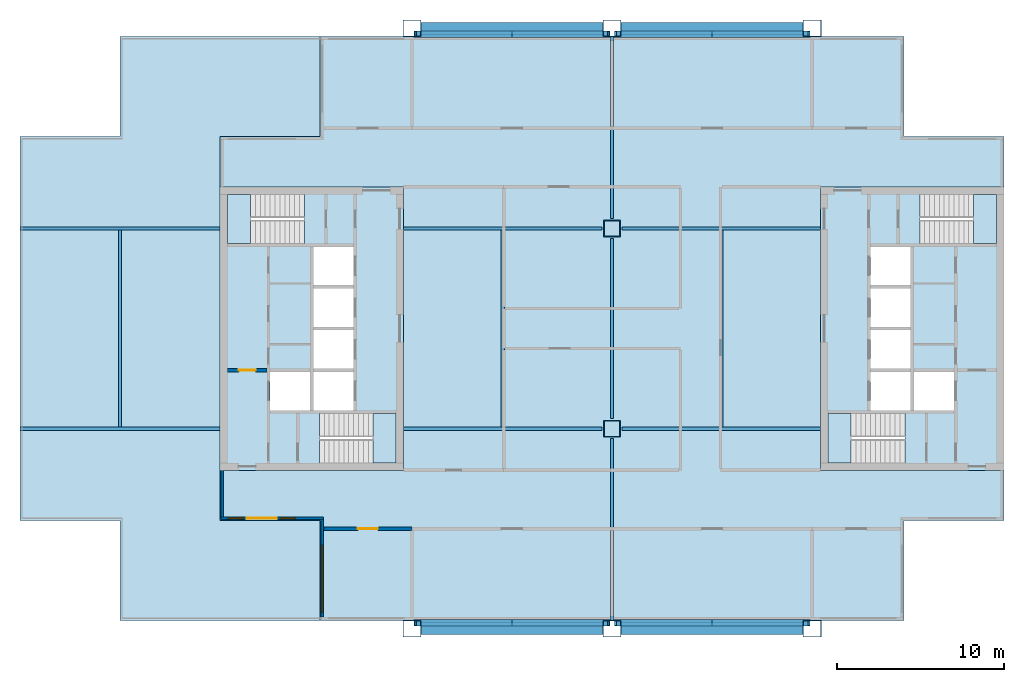
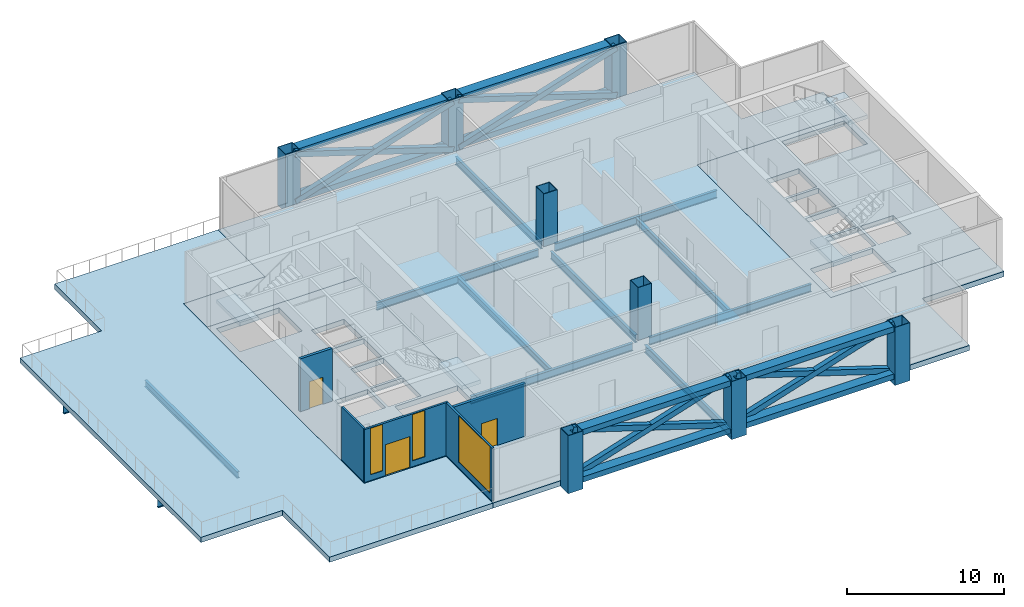
# One storey, part 1 of 6: 20 beams, 8 columns, 8 members, 8 slabs, 5 walls, 3 doors, 3 windows, 6 openings, 4 elements without a shape of their own.
"""IFC4 building model written with IfcOpenShell, lengths in metres."""

from ifc_helpers import new_model, si_unit, direction, frame, frame_2d, origin, origin_2d, place, context, subcontext, project, spatial, polyline, rectangle, hollow_rectangle, i_section, outline, extrude, material, layer, layer_set, material_profile, profile_set, type_object, element, fill, aggregate, save


model = new_model("IFC4")

# Units and contexts
model_context = context("Model", 3, precision=1e-05, world=origin(), true_north=direction((0.0, 1.0)))
body_context = subcontext(model_context, "Body", "Model", "MODEL_VIEW")
ifc_project = project(units=[si_unit("LENGTHUNIT", "METRE"), si_unit("AREAUNIT", "SQUARE_METRE"), si_unit("VOLUMEUNIT", "CUBIC_METRE"), si_unit("PLANEANGLEUNIT", "RADIAN"), si_unit("MASSUNIT", "GRAM", prefix="KILO")], contexts=[model_context])

# Site, building, storey
site_placement = place(None, origin())
site = spatial("IfcSite", under=ifc_project, at=site_placement, CompositionType="ELEMENT")
building_placement = place(site_placement, origin())
building = spatial("IfcBuilding", under=site, at=building_placement, Name="Kitamizu Gate Tower and Museum", CompositionType="ELEMENT")
storey_placement = place(building_placement, frame((0.0, 0.0, 213.449951171875)))
storey = spatial("IfcBuildingStorey", under=building, at=storey_placement, Name="L57", CompositionType="ELEMENT", Elevation=213.449951171875)

# Columns
ifc_material_1 = material(Name="Steel SM490A bronze coated", Category="steel")
ifc_material_profile_1 = material_profile(ifc_material_1, hollow_rectangle(XDim=1.10009765625, YDim=1.0, WallThickness=0.0400390625, at=origin_2d()), Name="BOX 1100x1000x40")
ifc_profile_set_1 = profile_set([ifc_material_profile_1], Name="Steel SM490A bronze coated")
column_type_1 = type_object("IfcColumnType", Name="Exoskeleton column XC8 BOX 1100x1000x40", PredefinedType="COLUMN", material=ifc_profile_set_1)
for number, where, z_axis, x_axis, name in (
    (1, (24.0, 12.0, -0.39990234375), (0.0, 0.0, 1.0), (1.0, 0.0, 0.0), "Column XC8 3B L57"),
    (2, (24.0, 48.0, -0.39990234375), (0.0, 0.0, 1.0), (1.0, 0.0, 0.0), "Column XC8 3E L57"),
    (3, (36.0, 12.0, -0.39990234375), (0.0, 0.0, 1.0), (1.0, 0.0, 0.0), "Column XC8 4B L57"),
    (4, (36.0, 48.0, -0.39990234375), (0.0, 0.0, 1.0), (1.0, 0.0, 0.0), "Column XC8 4E L57"),
    (5, (48.0, 12.0, -0.39990234375), (0.0, 0.0, 1.0), (1.0, 0.0, 0.0), "Column XC8 5B L57"),
    (6, (48.0, 48.0, -0.39990234375), (0.0, 0.0, 1.0), (1.0, 0.0, 0.0), "Column XC8 5E L57"),
):
    element("IfcColumn", number, at=place(storey_placement, frame(where, z_axis=z_axis, x_axis=x_axis)), inside=storey, type_object=column_type_1, Name=name, PredefinedType="COLUMN", context=body_context, shape_type="SweptSolid", body=[
        extrude(hollow_rectangle(XDim=1.10009765625, YDim=1.0, WallThickness=0.0400390625, at=origin_2d()), origin(), (0.0, 0.0, 1.0), 4.5),
    ])
ifc_material_2 = material(Name="Steel SM490A", Category="steel")
ifc_material_profile_2 = material_profile(ifc_material_2, hollow_rectangle(XDim=1.0, YDim=1.0, WallThickness=0.0400390625, at=origin_2d()), Name="BOX 1000x1000x40")
ifc_profile_set_2 = profile_set([ifc_material_profile_2], Name="Steel SM490A")
column_type_2 = type_object("IfcColumnType", Name="Interior column IC5 BOX 1000x1000x40", PredefinedType="COLUMN", material=ifc_profile_set_2)
for number, where, z_axis, x_axis, name in (
    (7, (36.0, 24.0, 0.0), (0.0, 0.0, 1.0), (1.0, 0.0, 0.0), "Column IC5 4C L57"),
    (8, (36.0, 36.0, 0.0), (0.0, 0.0, 1.0), (1.0, 0.0, 0.0), "Column IC5 4D L57"),
):
    element("IfcColumn", number, at=place(storey_placement, frame(where, z_axis=z_axis, x_axis=x_axis)), inside=storey, type_object=column_type_2, Name=name, PredefinedType="COLUMN", context=body_context, shape_type="SweptSolid", body=[
        extrude(hollow_rectangle(XDim=1.0, YDim=1.0, WallThickness=0.0400390625, at=origin_2d()), origin(), (0.0, 0.0, 1.0), 4.10009765625),
    ])

# Beams
ifc_material_3 = material(Name="Steel SM490A bronze coated", Category="steel")
ifc_material_profile_3 = material_profile(ifc_material_3, hollow_rectangle(XDim=0.719970703125, YDim=0.419921875, WallThickness=0.031982421875, at=origin_2d()), Name="BOX 720x420x32")
ifc_profile_set_3 = profile_set([ifc_material_profile_3], Name="Steel SM490A bronze coated")
beam_type_1 = type_object("IfcBeamType", Name="Belt truss chord BTC3 BOX 720x420x32", PredefinedType="BEAM", material=ifc_profile_set_3)
for number, where, z_axis, x_axis, name in (
    (9, (24.550048828125, 12.0, 3.89013671875), (1.0, 0.0, 0.0), (0.0, 1.0, 0.0), "Belt truss top chord south 24 L57"),
    (10, (24.550048828125, 12.0, 0.2099609375), (1.0, 0.0, 0.0), (0.0, 1.0, 0.0), "Belt truss bottom chord south 24 L57"),
    (11, (36.550048828125, 12.0, 3.89013671875), (1.0, 0.0, 0.0), (0.0, 1.0, 0.0), "Belt truss top chord south 36 L57"),
    (12, (36.550048828125, 12.0, 0.2099609375), (1.0, 0.0, 0.0), (0.0, 1.0, 0.0), "Belt truss bottom chord south 36 L57"),
    (13, (24.550048828125, 48.0, 3.89013671875), (1.0, 0.0, 0.0), (0.0, 1.0, 0.0), "Belt truss top chord north 24 L57"),
    (14, (24.550048828125, 48.0, 0.2099609375), (1.0, 0.0, 0.0), (0.0, 1.0, 0.0), "Belt truss bottom chord north 24 L57"),
    (15, (36.550048828125, 48.0, 3.89013671875), (1.0, 0.0, 0.0), (0.0, 1.0, 0.0), "Belt truss top chord north 36 L57"),
    (16, (36.550048828125, 48.0, 0.2099609375), (1.0, 0.0, 0.0), (0.0, 1.0, 0.0), "Belt truss bottom chord north 36 L57"),
):
    element("IfcBeam", number, at=place(storey_placement, frame(where, z_axis=z_axis, x_axis=x_axis)), inside=storey, type_object=beam_type_1, Name=name, PredefinedType="BEAM", context=body_context, shape_type="SweptSolid", body=[
        extrude(hollow_rectangle(XDim=0.719970703125, YDim=0.419921875, WallThickness=0.031982421875, at=origin_2d()), origin(), (0.0, 0.0, 1.0), 10.89990234375),
    ])

# Members
ifc_material_4 = material(Name="Steel SM490A bronze coated", Category="steel")
ifc_material_profile_4 = material_profile(ifc_material_4, hollow_rectangle(XDim=0.3798828125, YDim=0.419921875, WallThickness=0.02197265625, at=origin_2d()), Name="BOX 380x420x22")
ifc_profile_set_4 = profile_set([ifc_material_profile_4], Name="Steel SM490A bronze coated")
member_type = type_object("IfcMemberType", Name="Belt truss diagonal BTD3 BOX 380x420x22", PredefinedType="BRACE", material=ifc_profile_set_4)
for number, where, z_axis, x_axis, name in (
    (17, (24.199951171875, 12.360107421875, 0.2099609375), (0.95318100356, 0.0, 0.302400354583), (0.0, 1.0, 0.0), "Belt truss diagonal south 24 L57"),
    (18, (35.800048828125, 12.360107421875, 0.2099609375), (-0.95318100356, 0.0, 0.302400354583), (0.0, -1.0, 0.0), "Belt truss diagonal south 24 L57"),
    (19, (36.199951171875, 12.360107421875, 0.2099609375), (0.95318100356, 0.0, 0.302400354583), (0.0, 1.0, 0.0), "Belt truss diagonal south 36 L57"),
    (20, (47.800048828125, 12.360107421875, 0.2099609375), (-0.95318100356, 0.0, 0.302400354583), (0.0, -1.0, 0.0), "Belt truss diagonal south 36 L57"),
    (21, (24.199951171875, 47.639892578125, 0.2099609375), (0.95318100356, 0.0, 0.302400354583), (0.0, 1.0, 0.0), "Belt truss diagonal north 24 L57"),
    (22, (35.800048828125, 47.639892578125, 0.2099609375), (-0.95318100356, 0.0, 0.302400354583), (0.0, -1.0, 0.0), "Belt truss diagonal north 24 L57"),
    (23, (36.199951171875, 47.639892578125, 0.2099609375), (0.95318100356, 0.0, 0.302400354583), (0.0, 1.0, 0.0), "Belt truss diagonal north 36 L57"),
    (24, (47.800048828125, 47.639892578125, 0.2099609375), (-0.95318100356, 0.0, 0.302400354583), (0.0, -1.0, 0.0), "Belt truss diagonal north 36 L57"),
):
    element("IfcMember", number, at=place(storey_placement, frame(where, z_axis=z_axis, x_axis=x_axis)), inside=storey, type_object=member_type, Name=name, PredefinedType="BRACE", context=body_context, shape_type="SweptSolid", body=[
        extrude(hollow_rectangle(XDim=0.3798828125, YDim=0.419921875, WallThickness=0.02197265625, at=origin_2d()), origin(), (0.0, 0.0, 1.0), 12.169921875),
    ])

# Beams
ifc_material_5 = material(Name="Steel SM490A", Category="steel")
ifc_material_profile_5 = material_profile(ifc_material_5, i_section(OverallWidth=0.199951171875, OverallDepth=0.5, WebThickness=0.010009765625, FlangeThickness=0.01611328125, FilletRadius=0.02001953125, at=origin_2d()), Name="H-500x200x10x16")
ifc_profile_set_5 = profile_set([ifc_material_profile_5], Name="Steel SM490A")
beam_type_2 = type_object("IfcBeamType", Name="Floor beam FB1 H 500x200x10x16", PredefinedType="BEAM", material=ifc_profile_set_5)
for number, where, z_axis, x_axis, name in (
    (25, (6.5, 24.10009765625, -0.64990234375), (0.0, 1.0, 0.0), (-1.0, 0.0, 0.0), "Floor beam FB1 L57-1"),
    (26, (29.449951171875, 24.10009765625, -0.64990234375), (0.0, 1.0, 0.0), (-1.0, 0.0, 0.0), "Floor beam FB1 L57-2"),
    (27, (42.550048828125, 24.10009765625, -0.64990234375), (0.0, 1.0, 0.0), (-1.0, 0.0, 0.0), "Floor beam FB1 L57-3"),
):
    element("IfcBeam", number, at=place(storey_placement, frame(where, z_axis=z_axis, x_axis=x_axis)), inside=storey, type_object=beam_type_2, Name=name, PredefinedType="BEAM", context=body_context, shape_type="SweptSolid", body=[
        extrude(i_section(OverallWidth=0.199951171875, OverallDepth=0.5, WebThickness=0.010009765625, FlangeThickness=0.01611328125, FilletRadius=0.02001953125, at=origin_2d()), origin(), (0.0, 0.0, 1.0), 11.7998046875),
    ])
ifc_material_6 = material(Name="Steel SM490A", Category="steel")
ifc_material_profile_6 = material_profile(ifc_material_6, i_section(OverallWidth=0.199951171875, OverallDepth=0.60009765625, WebThickness=0.010986328125, FlangeThickness=0.01708984375, FilletRadius=0.02197265625, at=origin_2d()), Name="H-600x200x11x17")
ifc_profile_set_6 = profile_set([ifc_material_profile_6], Name="Steel SM490A")
beam_type_3 = type_object("IfcBeamType", Name="Floor girder FG1 H 600x200x11x17", PredefinedType="BEAM", material=ifc_profile_set_6)
beam_1_placement = place(storey_placement, frame((36.0, 12.5, -0.699951171875), z_axis=(0.0, 1.0, 0.0), x_axis=(-1.0, 0.0, 0.0)))
element("IfcBeam", 28, at=beam_1_placement, inside=storey, type_object=beam_type_3, Name="Floor girder FG1 x36 L57", PredefinedType="BEAM", context=body_context, shape_type="SweptSolid", body=[
    extrude(i_section(OverallWidth=0.199951171875, OverallDepth=0.60009765625, WebThickness=0.010986328125, FlangeThickness=0.01708984375, FilletRadius=0.02197265625, at=origin_2d()), origin(), (0.0, 0.0, 1.0), 10.89990234375),
])
beam_2_placement = place(storey_placement, frame((36.0, 24.60009765625, -0.699951171875), z_axis=(0.0, 1.0, 0.0), x_axis=(-1.0, 0.0, 0.0)))
element("IfcBeam", 29, at=beam_2_placement, inside=storey, type_object=beam_type_3, Name="Floor girder FG1 x36 L57", PredefinedType="BEAM", context=body_context, shape_type="SweptSolid", body=[
    extrude(i_section(OverallWidth=0.199951171875, OverallDepth=0.60009765625, WebThickness=0.010986328125, FlangeThickness=0.01708984375, FilletRadius=0.02197265625, at=origin_2d()), origin(), (0.0, 0.0, 1.0), 10.7998046875),
])
beam_3_placement = place(storey_placement, frame((36.0, 36.60009765625, -0.699951171875), z_axis=(0.0, 1.0, 0.0), x_axis=(-1.0, 0.0, 0.0)))
element("IfcBeam", 30, at=beam_3_placement, inside=storey, type_object=beam_type_3, Name="Floor girder FG1 x36 L57", PredefinedType="BEAM", context=body_context, shape_type="SweptSolid", body=[
    extrude(i_section(OverallWidth=0.199951171875, OverallDepth=0.60009765625, WebThickness=0.010986328125, FlangeThickness=0.01708984375, FilletRadius=0.02197265625, at=origin_2d()), origin(), (0.0, 0.0, 1.0), 10.89990234375),
])
beam_4_placement = place(storey_placement, frame((0.5, 24.0, -0.699951171875), z_axis=(1.0, 0.0, 0.0), x_axis=(0.0, 1.0, 0.0)))
element("IfcBeam", 31, at=beam_4_placement, inside=storey, type_object=beam_type_3, Name="Floor girder FG1 y24 L57", PredefinedType="BEAM", context=body_context, shape_type="SweptSolid", body=[
    extrude(i_section(OverallWidth=0.199951171875, OverallDepth=0.60009765625, WebThickness=0.010986328125, FlangeThickness=0.01708984375, FilletRadius=0.02197265625, at=origin_2d()), origin(), (0.0, 0.0, 1.0), 12.0),
])
for number, where, z_axis, x_axis, name in (
    (32, (23.5, 24.0, -0.699951171875), (1.0, 0.0, 0.0), (0.0, 1.0, 0.0), "Floor girder FG1 y24 L57"),
    (33, (36.60009765625, 24.0, -0.699951171875), (1.0, 0.0, 0.0), (0.0, 1.0, 0.0), "Floor girder FG1 y24 L57"),
):
    element("IfcBeam", number, at=place(storey_placement, frame(where, z_axis=z_axis, x_axis=x_axis)), inside=storey, type_object=beam_type_3, Name=name, PredefinedType="BEAM", context=body_context, shape_type="SweptSolid", body=[
        extrude(i_section(OverallWidth=0.199951171875, OverallDepth=0.60009765625, WebThickness=0.010986328125, FlangeThickness=0.01708984375, FilletRadius=0.02197265625, at=origin_2d()), origin(), (0.0, 0.0, 1.0), 11.89990234375),
    ])
beam_5_placement = place(storey_placement, frame((0.5, 36.0, -0.699951171875), z_axis=(1.0, 0.0, 0.0), x_axis=(0.0, 1.0, 0.0)))
element("IfcBeam", 34, at=beam_5_placement, inside=storey, type_object=beam_type_3, Name="Floor girder FG1 y36 L57", PredefinedType="BEAM", context=body_context, shape_type="SweptSolid", body=[
    extrude(i_section(OverallWidth=0.199951171875, OverallDepth=0.60009765625, WebThickness=0.010986328125, FlangeThickness=0.01708984375, FilletRadius=0.02197265625, at=origin_2d()), origin(), (0.0, 0.0, 1.0), 12.0),
])
for number, where, z_axis, x_axis, name in (
    (35, (23.5, 36.0, -0.699951171875), (1.0, 0.0, 0.0), (0.0, 1.0, 0.0), "Floor girder FG1 y36 L57"),
    (36, (36.60009765625, 36.0, -0.699951171875), (1.0, 0.0, 0.0), (0.0, 1.0, 0.0), "Floor girder FG1 y36 L57"),
):
    element("IfcBeam", number, at=place(storey_placement, frame(where, z_axis=z_axis, x_axis=x_axis)), inside=storey, type_object=beam_type_3, Name=name, PredefinedType="BEAM", context=body_context, shape_type="SweptSolid", body=[
        extrude(i_section(OverallWidth=0.199951171875, OverallDepth=0.60009765625, WebThickness=0.010986328125, FlangeThickness=0.01708984375, FilletRadius=0.02197265625, at=origin_2d()), origin(), (0.0, 0.0, 1.0), 11.89990234375),
    ])

# Slabs
ifc_material_7 = material(Name="Concrete Fc36", Category="concrete")
ifc_layer_1 = layer(ifc_material_7, 0.39990234375)
ifc_layer_set_1 = layer_set([ifc_layer_1], Name="Concrete Fc36")
slab_type_1 = type_object("IfcSlabType", Name="Core floor slab 400", PredefinedType="FLOOR", material=ifc_layer_set_1)
slab_1_placement = place(storey_placement, frame((0.0, 0.0, -0.39990234375)))
element("IfcSlab", 37, at=slab_1_placement, inside=storey, type_object=slab_type_1, Name="Core floor slab W", PredefinedType="FLOOR", context=body_context, shape_type="SweptSolid", body=[
    extrude(outline(polyline([(12.5, 21.5), (23.5, 21.5), (23.5, 38.5), (12.5, 38.5), (12.5, 21.5)]), holes=[polyline([(15.5, 25.10009765625), (17.89990234375, 25.10009765625), (17.89990234375, 27.39990234375), (15.5, 27.39990234375), (15.5, 25.10009765625)]), polyline([(18.10009765625, 25.10009765625), (20.5, 25.10009765625), (20.5, 27.39990234375), (18.10009765625, 27.39990234375), (18.10009765625, 25.10009765625)]), polyline([(18.10009765625, 27.60009765625), (20.5, 27.60009765625), (20.5, 29.89990234375), (18.10009765625, 29.89990234375), (18.10009765625, 27.60009765625)]), polyline([(18.10009765625, 30.10009765625), (20.5, 30.10009765625), (20.5, 32.39990234375), (18.10009765625, 32.39990234375), (18.10009765625, 30.10009765625)]), polyline([(18.10009765625, 32.60009765625), (20.5, 32.60009765625), (20.5, 34.89990234375), (18.10009765625, 34.89990234375), (18.10009765625, 32.60009765625)]), polyline([(18.45068359375, 21.949951171875), (23.050048828125, 21.949951171875), (23.050048828125, 24.89990234375), (18.45068359375, 24.89990234375), (18.45068359375, 21.949951171875)]), polyline([(12.949951171875, 35.10009765625), (17.54931640625, 35.10009765625), (17.54931640625, 38.050048828125), (12.949951171875, 38.050048828125), (12.949951171875, 35.10009765625)])]), origin(), (0.0, 0.0, 1.0), 0.39990234375),
])
slab_2_placement = place(storey_placement, frame((0.0, 0.0, -0.39990234375)))
element("IfcSlab", 38, at=slab_2_placement, inside=storey, type_object=slab_type_1, Name="Core floor slab E", PredefinedType="FLOOR", context=body_context, shape_type="SweptSolid", body=[
    extrude(outline(polyline([(48.5, 21.5), (59.5, 21.5), (59.5, 38.5), (48.5, 38.5), (48.5, 21.5)]), holes=[polyline([(54.10009765625, 25.10009765625), (56.5, 25.10009765625), (56.5, 27.39990234375), (54.10009765625, 27.39990234375), (54.10009765625, 25.10009765625)]), polyline([(51.5, 25.10009765625), (53.89990234375, 25.10009765625), (53.89990234375, 27.39990234375), (51.5, 27.39990234375), (51.5, 25.10009765625)]), polyline([(51.5, 27.60009765625), (53.89990234375, 27.60009765625), (53.89990234375, 29.89990234375), (51.5, 29.89990234375), (51.5, 27.60009765625)]), polyline([(51.5, 30.10009765625), (53.89990234375, 30.10009765625), (53.89990234375, 32.39990234375), (51.5, 32.39990234375), (51.5, 30.10009765625)]), polyline([(51.5, 32.60009765625), (53.89990234375, 32.60009765625), (53.89990234375, 34.89990234375), (51.5, 34.89990234375), (51.5, 32.60009765625)]), polyline([(48.949951171875, 21.949951171875), (53.54931640625, 21.949951171875), (53.54931640625, 24.89990234375), (48.949951171875, 24.89990234375), (48.949951171875, 21.949951171875)]), polyline([(54.45068359375, 35.10009765625), (59.050048828125, 35.10009765625), (59.050048828125, 38.050048828125), (54.45068359375, 38.050048828125), (54.45068359375, 35.10009765625)])]), origin(), (0.0, 0.0, 1.0), 0.39990234375),
])
ifc_material_8 = material(Name="Concrete Fc36", Category="concrete")
ifc_layer_2 = layer(ifc_material_8, 0.39990234375)
ifc_layer_set_2 = layer_set([ifc_layer_2], Name="Concrete Fc36")
slab_type_2 = type_object("IfcSlabType", Name="Post tensioned flat slab 400", PredefinedType="FLOOR", material=ifc_layer_set_2)
slab_3_placement = place(storey_placement, frame((0.0, 0.0, -0.39990234375)))
element("IfcSlab", 39, at=slab_3_placement, inside=storey, type_object=slab_type_2, Name="Floor slab L57-1", PredefinedType="FLOOR", context=body_context, shape_type="SweptSolid", body=[
    extrude(outline(polyline([(53.5, 47.5), (53.5, 41.5), (59.5, 41.5), (59.5, 38.5), (48.5, 38.5), (48.5, 21.5), (59.5, 21.5), (59.5, 18.5), (53.5, 18.5), (53.5, 12.5), (18.5, 12.5), (18.5, 18.5), (12.5, 18.5), (12.5, 21.5), (23.5, 21.5), (23.5, 38.5), (12.5, 38.5), (12.5, 41.5), (18.5, 41.5), (18.5, 47.5), (53.5, 47.5)])), origin(), (0.0, 0.0, 1.0), 0.39990234375),
])

# Stair, slab
ifc_material_9 = material(Name="Concrete Fc42", Category="concrete")
stair_type = type_object("IfcStairType", Name="Exit stair 1375 wide 188 rise 293 going", PredefinedType="HALF_TURN_STAIR", material=ifc_material_9)
stair_1_placement = place(storey_placement, origin())
stair_1 = element("IfcStair", 40, at=stair_1_placement, inside=storey, type_object=stair_type, Name="Exit stair ST1", PredefinedType="HALF_TURN_STAIR")
ifc_material_10 = material(Name="Concrete Fc42", Category="concrete")
ifc_layer_3 = layer(ifc_material_10, 0.300048828125)
ifc_layer_set_3 = layer_set([ifc_layer_3], Name="Concrete Fc42")
slab_type_3 = type_object("IfcSlabType", Name="Stair landing 300", PredefinedType="LANDING", material=ifc_layer_set_3)
slab_4_placement = place(storey_placement, frame((0.0, 0.0, 1.949951171875)))
slab_4 = element("IfcSlab", 41, at=slab_4_placement, type_object=slab_type_3, Name="ST1 landing 1", PredefinedType="LANDING", context=body_context, shape_type="SweptSolid", body=[
    extrude(outline(polyline([(21.675048828125, 21.949951171875), (23.050048828125, 21.949951171875), (23.050048828125, 24.89990234375), (21.675048828125, 24.89990234375), (21.675048828125, 21.949951171875)])), origin(), (0.0, 0.0, 1.0), 0.300048828125),
])
aggregate(stair_1, [slab_4])

stair_2_placement = place(storey_placement, origin())
stair_2 = element("IfcStair", 42, at=stair_2_placement, inside=storey, type_object=stair_type, Name="Exit stair ST2", PredefinedType="HALF_TURN_STAIR")
slab_5_placement = place(storey_placement, frame((0.0, 0.0, 1.949951171875)))
slab_5 = element("IfcSlab", 43, at=slab_5_placement, type_object=slab_type_3, Name="ST2 landing 1", PredefinedType="LANDING", context=body_context, shape_type="SweptSolid", body=[
    extrude(outline(polyline([(12.949951171875, 35.10009765625), (14.324951171875, 35.10009765625), (14.324951171875, 38.050048828125), (12.949951171875, 38.050048828125), (12.949951171875, 35.10009765625)])), origin(), (0.0, 0.0, 1.0), 0.300048828125),
])
aggregate(stair_2, [slab_5])

stair_3_placement = place(storey_placement, origin())
stair_3 = element("IfcStair", 44, at=stair_3_placement, inside=storey, type_object=stair_type, Name="Exit stair ST3", PredefinedType="HALF_TURN_STAIR")
slab_6_placement = place(storey_placement, frame((0.0, 0.0, 1.949951171875)))
slab_6 = element("IfcSlab", 45, at=slab_6_placement, type_object=slab_type_3, Name="ST3 landing 1", PredefinedType="LANDING", context=body_context, shape_type="SweptSolid", body=[
    extrude(outline(polyline([(48.949951171875, 21.949951171875), (50.324951171875, 21.949951171875), (50.324951171875, 24.89990234375), (48.949951171875, 24.89990234375), (48.949951171875, 21.949951171875)])), origin(), (0.0, 0.0, 1.0), 0.300048828125),
])
aggregate(stair_3, [slab_6])

stair_4_placement = place(storey_placement, origin())
stair_4 = element("IfcStair", 46, at=stair_4_placement, inside=storey, type_object=stair_type, Name="Exit stair ST4", PredefinedType="HALF_TURN_STAIR")
slab_7_placement = place(storey_placement, frame((0.0, 0.0, 1.949951171875)))
slab_7 = element("IfcSlab", 47, at=slab_7_placement, type_object=slab_type_3, Name="ST4 landing 1", PredefinedType="LANDING", context=body_context, shape_type="SweptSolid", body=[
    extrude(outline(polyline([(57.675048828125, 35.10009765625), (59.050048828125, 35.10009765625), (59.050048828125, 38.050048828125), (57.675048828125, 38.050048828125), (57.675048828125, 35.10009765625)])), origin(), (0.0, 0.0, 1.0), 0.300048828125),
])
aggregate(stair_4, [slab_7])

# Slab
ifc_material_11 = material(Name="Concrete Fc36", Category="concrete")
ifc_layer_4 = layer(ifc_material_11, 0.39990234375)
ifc_layer_set_4 = layer_set([ifc_layer_4], Name="Concrete Fc36")
slab_type_4 = type_object("IfcSlabType", Name="Terrace slab 400", PredefinedType="FLOOR", material=ifc_layer_set_4)
slab_8_placement = place(storey_placement, frame((0.0, 0.0, -0.39990234375)))
element("IfcSlab", 48, at=slab_8_placement, inside=storey, type_object=slab_type_4, Name="Terrace slab L57-1", PredefinedType="FLOOR", context=body_context, shape_type="SweptSolid", body=[
    extrude(outline(polyline([(0.5, 41.5), (6.5, 41.5), (6.5, 47.5), (18.5, 47.5), (18.5, 41.5), (12.5, 41.5), (12.5, 38.5), (12.5, 21.5), (12.5, 18.5), (18.5, 18.5), (18.5, 12.5), (6.5, 12.5), (6.5, 18.5), (0.5, 18.5), (0.5, 41.5)])), origin(), (0.0, 0.0, 1.0), 0.39990234375),
])

# Wall, opening, door
ifc_material_12 = material(Name="Gypsum board on galvanised stud")
ifc_layer_5 = layer(ifc_material_12, 0.199951171875)
ifc_layer_set_5 = layer_set([ifc_layer_5], Name="Gypsum board on galvanised stud")
wall_type_1 = type_object("IfcWallType", Name="Partition 200", PredefinedType="PARTITIONING", material=ifc_layer_set_5)
wall_1_placement = place(storey_placement, frame((18.719970703125, 18.0, 0.0), z_axis=(0.0, 0.0, 1.0), x_axis=(1.0, 0.0, 0.0)))
wall_1 = element("IfcWall", 49, at=wall_1_placement, inside=storey, type_object=wall_type_1, Name="Partition L57-008", PredefinedType="PARTITIONING", context=body_context, shape_type="SweptSolid", body=[
    extrude(rectangle(XDim=5.280029296875, YDim=0.199951171875, at=frame_2d((2.64013671875, 0.0))), origin(), (0.0, 0.0, 1.0), 4.10009765625),
])
opening_1_placement = place(wall_1_placement, frame((2.0400390625, 0.0, 0.0)))
opening_1 = element("IfcOpeningElement", 50, at=opening_1_placement, cuts=wall_1, Name="Opening L57-003", PredefinedType="OPENING", context=body_context, shape_type="SweptSolid", body=[
    extrude(rectangle(XDim=1.199951171875, YDim=2.10009765625, at=frame_2d((0.60009765625, 1.050048828125))), frame((0.0, 0.10986328125, 0.0), z_axis=(0.0, -1.0, 0.0), x_axis=(1.0, 0.0, 0.0)), (0.0, 0.0, 1.0), 0.219970703125),
])
ifc_material_13 = material(Name="Timber door set", Category="wood")
door_type_1 = type_object("IfcDoorType", Name="Plant room door 1200", OperationType="DOUBLE_DOOR_SINGLE_SWING", PredefinedType="DOOR", material=ifc_material_13)
door_1_placement = place(opening_1_placement, origin())
door_1 = element("IfcDoor", 51, at=door_1_placement, inside=storey, type_object=door_type_1, Name="Plant room door L57-003", OperationType="DOUBLE_DOOR_SINGLE_SWING", OverallHeight=2.10009765625, OverallWidth=1.199951171875, PredefinedType="DOOR", context=body_context, shape_type="SweptSolid", body=[
    extrude(rectangle(XDim=1.199951171875, YDim=2.10009765625, at=frame_2d((0.60009765625, 1.050048828125))), frame((0.0, 0.02490234375, 0.0), z_axis=(0.0, -1.0, 0.0), x_axis=(1.0, 0.0, 0.0)), (0.0, 0.0, 1.0), 0.050048828125),
])
fill(opening_1, door_1)

ifc_material_14 = material(Name="Concrete Fc42", Category="concrete")
ifc_layer_6 = layer(ifc_material_14, 0.199951171875)
ifc_layer_set_6 = layer_set([ifc_layer_6], Name="Concrete Fc42")
wall_type_2 = type_object("IfcWallType", Name="Shaft wall 200", PredefinedType="SOLIDWALL", material=ifc_layer_set_6)
wall_2_placement = place(storey_placement, frame((12.949951171875, 27.5, 0.0), z_axis=(0.0, 0.0, 1.0), x_axis=(1.0, 0.0, 0.0)))
wall_2 = element("IfcWall", 52, at=wall_2_placement, inside=storey, type_object=wall_type_2, Name="Shaft wall WFFN", PredefinedType="SOLIDWALL", context=body_context, shape_type="SweptSolid", body=[
    extrude(rectangle(XDim=2.35009765625, YDim=0.199951171875, at=frame_2d((1.175048828125, 0.0))), origin(), (0.0, 0.0, 1.0), 4.10009765625),
])
opening_2_placement = place(wall_2_placement, frame((0.675048828125, 0.0, 0.0)))
opening_2 = element("IfcOpeningElement", 53, at=opening_2_placement, cuts=wall_2, Name="Opening L57-017", PredefinedType="OPENING", context=body_context, shape_type="SweptSolid", body=[
    extrude(rectangle(XDim=1.0, YDim=2.10009765625, at=frame_2d((0.5, 1.050048828125))), frame((0.0, 0.10986328125, 0.0), z_axis=(0.0, -1.0, 0.0), x_axis=(1.0, 0.0, 0.0)), (0.0, 0.0, 1.0), 0.219970703125),
])
ifc_material_15 = material(Name="Hollow metal door set")
door_type_2 = type_object("IfcDoorType", Name="Fire door 1000", OperationType="NOTDEFINED", PredefinedType="DOOR", material=ifc_material_15)
door_2_placement = place(opening_2_placement, frame((1.0, 0.0, 0.0), x_axis=(-1.0, 0.0, 0.0)))
door_2 = element("IfcDoor", 54, at=door_2_placement, inside=storey, type_object=door_type_2, Name="Fire-fighting lobby door L57-017", OperationType="SINGLE_SWING_LEFT", OverallHeight=2.10009765625, OverallWidth=1.0, PredefinedType="DOOR", context=body_context, shape_type="SweptSolid", body=[
    extrude(rectangle(XDim=1.0, YDim=2.10009765625, at=frame_2d((0.5, 1.050048828125))), frame((0.0, 0.02490234375, 0.0), z_axis=(0.0, -1.0, 0.0), x_axis=(1.0, 0.0, 0.0)), (0.0, 0.0, 1.0), 0.050048828125),
])
fill(opening_2, door_2)

# Wall
ifc_material_16 = material(Name="Bronze anodised aluminium frame with insulated spandrel and tinted glass", Category="aluminium")
ifc_layer_7 = layer(ifc_material_16, 0.14990234375)
ifc_layer_set_7 = layer_set([ifc_layer_7], Name="Bronze anodised aluminium frame with insulated spandrel and tinted glass")
wall_type_3 = type_object("IfcWallType", Name="WINDOW WALL 150 BRONZE FRAME EI 60", PredefinedType="ELEMENTEDWALL", material=ifc_layer_set_7)
wall_3_placement = place(storey_placement, frame((12.635009765625, 18.7099609375, 0.0), z_axis=(0.0, 0.0, 1.0), x_axis=(0.0, 1.0, 0.0)))
element("IfcWall", 55, at=wall_3_placement, inside=storey, type_object=wall_type_3, Name="Window wall west L57", PredefinedType="ELEMENTEDWALL", context=body_context, shape_type="SweptSolid", body=[
    extrude(rectangle(XDim=2.7900390625, YDim=0.14990234375, at=frame_2d((1.39501953125, 0.0))), origin(), (0.0, 0.0, 1.0), 4.10009765625),
])

# Wall, openings, door, windows
wall_4_placement = place(storey_placement, frame((12.56005859375, 18.635009765625, 0.0), z_axis=(0.0, 0.0, 1.0), x_axis=(1.0, 0.0, 0.0)))
wall_4 = element("IfcWall", 56, at=wall_4_placement, inside=storey, type_object=wall_type_3, Name="Window wall south L57", PredefinedType="ELEMENTEDWALL", context=body_context, shape_type="SweptSolid", body=[
    extrude(rectangle(XDim=6.14990234375, YDim=0.14990234375, at=frame_2d((3.074951171875, 0.0))), origin(), (0.0, 0.0, 1.0), 4.10009765625),
])
opening_3_placement = place(wall_4_placement, frame((0.43994140625, 0.0, 0.449951171875)))
opening_3 = element("IfcOpeningElement", 57, at=opening_3_placement, cuts=wall_4, Name="Opening W23", PredefinedType="OPENING", context=body_context, shape_type="SweptSolid", body=[
    extrude(rectangle(XDim=0.89990234375, YDim=3.60009765625, at=frame_2d((0.449951171875, 1.800048828125))), frame((0.0, 0.0849609375, 0.0), z_axis=(0.0, -1.0, 0.0), x_axis=(1.0, 0.0, 0.0)), (0.0, 0.0, 1.0), 0.169921875),
])
opening_4_placement = place(wall_4_placement, frame((3.5400390625, 0.0, 0.449951171875)))
opening_4 = element("IfcOpeningElement", 58, at=opening_4_placement, cuts=wall_4, Name="Opening W23", PredefinedType="OPENING", context=body_context, shape_type="SweptSolid", body=[
    extrude(rectangle(XDim=0.89990234375, YDim=3.60009765625, at=frame_2d((0.449951171875, 1.800048828125))), frame((0.0, 0.0849609375, 0.0), z_axis=(0.0, -1.0, 0.0), x_axis=(1.0, 0.0, 0.0)), (0.0, 0.0, 1.0), 0.169921875),
])
opening_5_placement = place(wall_4_placement, frame((1.5400390625, 0.0, 0.0)))
opening_5 = element("IfcOpeningElement", 59, at=opening_5_placement, cuts=wall_4, Name="Opening L57-901", PredefinedType="OPENING", context=body_context, shape_type="SweptSolid", body=[
    extrude(rectangle(XDim=1.800048828125, YDim=2.39990234375, at=frame_2d((0.89990234375, 1.199951171875))), frame((0.0, 0.0849609375, 0.0), z_axis=(0.0, -1.0, 0.0), x_axis=(1.0, 0.0, 0.0)), (0.0, 0.0, 1.0), 0.169921875),
])
ifc_material_17 = material(Name="Bronze anodised aluminium frame, tinted toughened glass", Category="aluminium")
door_type_3 = type_object("IfcDoorType", Name="TERRACE DOOR 1800 x 2400 FIRE RATED", OperationType="DOUBLE_DOOR_SINGLE_SWING", PredefinedType="DOOR", material=ifc_material_17)
door_3_placement = place(opening_5_placement, frame((1.800048828125, 0.0, 0.0), x_axis=(-1.0, 0.0, 0.0)))
door_3 = element("IfcDoor", 60, at=door_3_placement, inside=storey, type_object=door_type_3, Name="Terrace door L57-901", OperationType="DOUBLE_DOOR_SINGLE_SWING", OverallHeight=2.39990234375, OverallWidth=1.800048828125, PredefinedType="DOOR", context=body_context, shape_type="SweptSolid", body=[
    extrude(rectangle(XDim=1.800048828125, YDim=2.39990234375, at=frame_2d((0.89990234375, 1.199951171875))), frame((0.0, 0.02490234375, 0.0), z_axis=(0.0, -1.0, 0.0), x_axis=(1.0, 0.0, 0.0)), (0.0, 0.0, 1.0), 0.050048828125),
])
fill(opening_5, door_3)
ifc_material_18 = material(Name="Bronze anodised aluminium frame, tinted triple glazing", Category="aluminium")
window_type_1 = type_object("IfcWindowType", Name="WINDOW 900 x 3600 SILL 450", PartitioningType="SINGLE_PANEL", PredefinedType="WINDOW", material=ifc_material_18)
window_1_placement = place(opening_3_placement, origin())
window_1 = element("IfcWindow", 61, at=window_1_placement, inside=storey, type_object=window_type_1, Name="Window W23 L57", OverallHeight=3.60009765625, OverallWidth=0.89990234375, PartitioningType="SINGLE_PANEL", PredefinedType="WINDOW", context=body_context, shape_type="SweptSolid", body=[
    extrude(rectangle(XDim=0.89990234375, YDim=3.60009765625, at=frame_2d((0.449951171875, 1.800048828125))), frame((0.0, 0.030029296875, 0.0), z_axis=(0.0, -1.0, 0.0), x_axis=(1.0, 0.0, 0.0)), (0.0, 0.0, 1.0), 0.06005859375),
])
fill(opening_3, window_1)
window_2_placement = place(opening_4_placement, origin())
window_2 = element("IfcWindow", 62, at=window_2_placement, inside=storey, type_object=window_type_1, Name="Window W23 L57", OverallHeight=3.60009765625, OverallWidth=0.89990234375, PartitioningType="SINGLE_PANEL", PredefinedType="WINDOW", context=body_context, shape_type="SweptSolid", body=[
    extrude(rectangle(XDim=0.89990234375, YDim=3.60009765625, at=frame_2d((0.449951171875, 1.800048828125))), frame((0.0, 0.030029296875, 0.0), z_axis=(0.0, -1.0, 0.0), x_axis=(1.0, 0.0, 0.0)), (0.0, 0.0, 1.0), 0.06005859375),
])
fill(opening_4, window_2)

# Wall, opening, window
wall_5_placement = place(storey_placement, frame((18.635009765625, 12.7099609375, 0.0), z_axis=(0.0, 0.0, 1.0), x_axis=(0.0, 1.0, 0.0)))
wall_5 = element("IfcWall", 63, at=wall_5_placement, inside=storey, type_object=wall_type_3, Name="Window wall west L57", PredefinedType="ELEMENTEDWALL", context=body_context, shape_type="SweptSolid", body=[
    extrude(rectangle(XDim=5.85009765625, YDim=0.14990234375, at=frame_2d((2.925048828125, 0.0))), origin(), (0.0, 0.0, 1.0), 4.10009765625),
])
opening_6_placement = place(wall_5_placement, frame((0.2900390625, 0.0, 0.449951171875)))
opening_6 = element("IfcOpeningElement", 64, at=opening_6_placement, cuts=wall_5, Name="Opening W18", PredefinedType="OPENING", context=body_context, shape_type="SweptSolid", body=[
    extrude(rectangle(XDim=4.0, YDim=3.60009765625, at=frame_2d((2.0, 1.800048828125))), frame((0.0, 0.0849609375, 0.0), z_axis=(0.0, -1.0, 0.0), x_axis=(1.0, 0.0, 0.0)), (0.0, 0.0, 1.0), 0.169921875),
])
ifc_material_19 = material(Name="Bronze anodised aluminium frame, tinted triple glazing", Category="aluminium")
window_type_2 = type_object("IfcWindowType", Name="WINDOW 4000 x 3600 SILL 450", PartitioningType="SINGLE_PANEL", PredefinedType="WINDOW", material=ifc_material_19)
window_3_placement = place(opening_6_placement, origin())
window_3 = element("IfcWindow", 65, at=window_3_placement, inside=storey, type_object=window_type_2, Name="Window W18 L57", OverallHeight=3.60009765625, OverallWidth=4.0, PartitioningType="SINGLE_PANEL", PredefinedType="WINDOW", context=body_context, shape_type="SweptSolid", body=[
    extrude(rectangle(XDim=4.0, YDim=3.60009765625, at=frame_2d((2.0, 1.800048828125))), frame((0.0, 0.030029296875, 0.0), z_axis=(0.0, -1.0, 0.0), x_axis=(1.0, 0.0, 0.0)), (0.0, 0.0, 1.0), 0.06005859375),
])
fill(opening_6, window_3)

save(model, "model.ifc")
